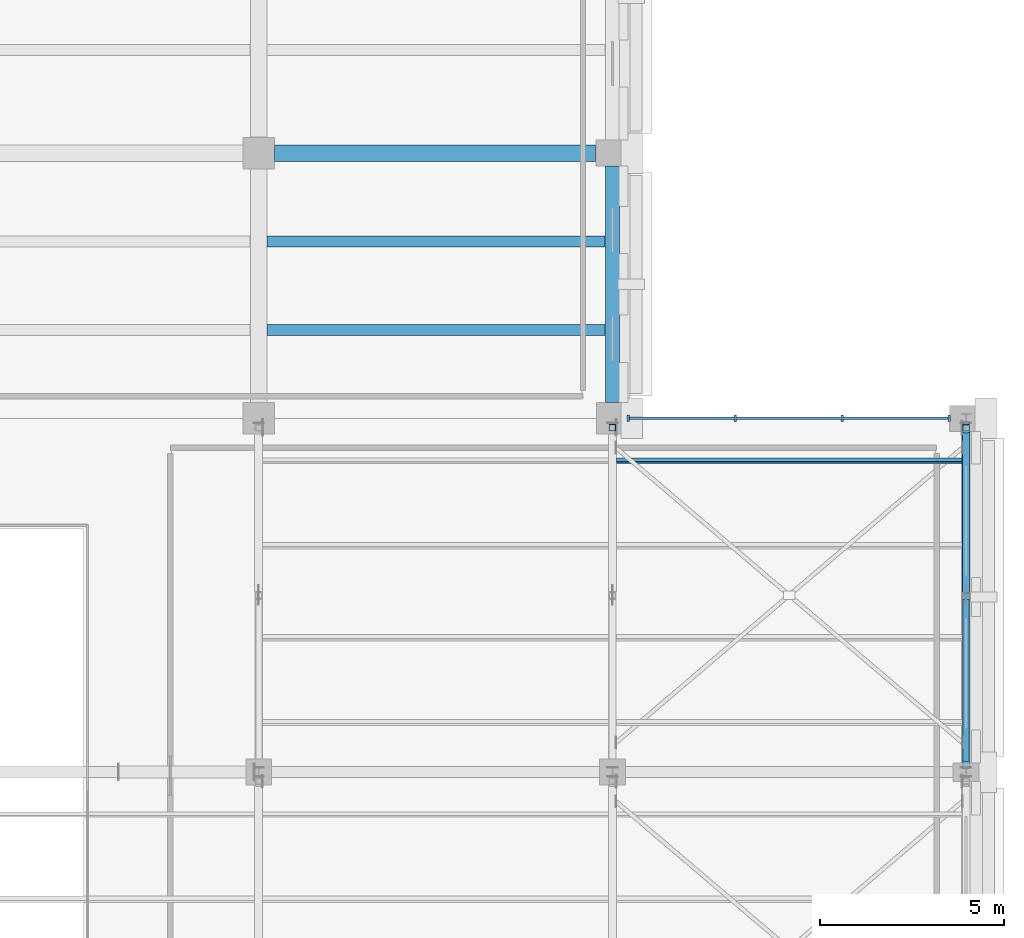
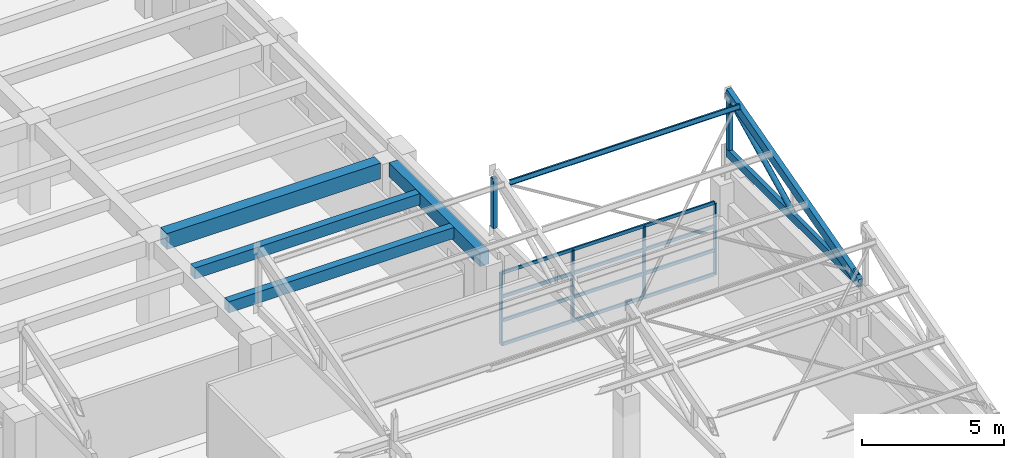
# One storey, part 25 of 58: 15 members, 4 beams, 1 element without a shape of its own.
"""IFC4 building model written with IfcOpenShell, lengths in metres."""

from ifc_helpers import new_model, si_unit, direction, frame, origin, origin_2d, place, context, subcontext, project, spatial, rectangle, hollow_rectangle, hollow_circle, i_section, extrude, material, layer, layer_set, material_profile, profile_set, type_object, element, aggregate, save


model = new_model("IFC4")

# Units and contexts
model_context = context("Model", 3, precision=1e-05, world=origin(), true_north=direction((0.0, 1.0)))
body_context = subcontext(model_context, "Body", "Model", "MODEL_VIEW")
ifc_project = project(units=[si_unit("LENGTHUNIT", "METRE"), si_unit("AREAUNIT", "SQUARE_METRE"), si_unit("VOLUMEUNIT", "CUBIC_METRE"), si_unit("PLANEANGLEUNIT", "RADIAN"), si_unit("MASSUNIT", "GRAM", prefix="KILO")], contexts=[model_context])

# Site, building, storey
site_placement = place(None, origin())
site = spatial("IfcSite", under=ifc_project, at=site_placement, CompositionType="ELEMENT")
building_placement = place(site_placement, origin())
building = spatial("IfcBuilding", under=site, at=building_placement, Name="Bempovik Park Faculty of Sciences", CompositionType="ELEMENT")
storey_placement = place(building_placement, frame((0.0, 0.0, 18.300048828125)))
storey = spatial("IfcBuildingStorey", under=building, at=storey_placement, Name="L04", CompositionType="ELEMENT", Elevation=18.300048828125)

# Beams
ifc_material_1 = material(Name="Concrete C35/45", Category="concrete")
ifc_material_profile_1 = material_profile(ifc_material_1, rectangle(XDim=0.3798828125, YDim=0.60009765625, at=origin_2d()), Name="RC 380x600")
ifc_profile_set_1 = profile_set([ifc_material_profile_1], Name="Concrete C35/45")
beam_type_1 = type_object("IfcBeamType", Name="B-032 RC 380x600", PredefinedType="SPANDREL", material=ifc_profile_set_1)
beam_1_placement = place(storey_placement, frame((117.60009765625, 87.430908203125, 3.599853515625), z_axis=(0.0, 1.0, 0.0), x_axis=(-1.0, 0.0, 0.0)))
element("IfcBeam", 1, at=beam_1_placement, inside=storey, type_object=beam_type_1, Name="L04 Beam Y (x=117.6, 87.0-94.2)", PredefinedType="SPANDREL", context=body_context, shape_type="SweptSolid", body=[
    extrude(rectangle(XDim=0.3798828125, YDim=0.60009765625, at=origin_2d()), origin(), (0.0, 0.0, 1.0), 6.4130859375),
])
ifc_material_profile_2 = material_profile(ifc_material_1, rectangle(XDim=0.300048828125, YDim=0.47998046875, at=origin_2d()), Name="RC 300x480")
ifc_profile_set_2 = profile_set([ifc_material_profile_2], Name="Concrete C35/45")
beam_type_2 = type_object("IfcBeamType", Name="B-039 RC 300x480", PredefinedType="JOIST", material=ifc_profile_set_2)
for number, where, z_axis, x_axis, name in (
    (2, (108.23095703125, 89.39990234375, 3.659912109375), (1.0, 0.0, 0.0), (0.0, 1.0, 0.0), "L04 Secondary Joist (108.0-117.6, y=89.40)"),
    (3, (108.23095703125, 91.800048828125, 3.659912109375), (1.0, 0.0, 0.0), (0.0, 1.0, 0.0), "L04 Secondary Joist (108.0-117.6, y=91.80)"),
):
    element("IfcBeam", number, at=place(storey_placement, frame(where, z_axis=z_axis, x_axis=x_axis)), inside=storey, type_object=beam_type_2, Name=name, PredefinedType="JOIST", context=body_context, shape_type="SweptSolid", body=[
        extrude(rectangle(XDim=0.300048828125, YDim=0.47998046875, at=origin_2d()), origin(), (0.0, 0.0, 1.0), 9.173095703125),
    ])
ifc_material_profile_3 = material_profile(ifc_material_1, rectangle(XDim=0.449951171875, YDim=0.679931640625, at=origin_2d()), Name="RC 450x680")
ifc_profile_set_3 = profile_set([ifc_material_profile_3], Name="Concrete C35/45")
beam_type_3 = type_object("IfcBeamType", Name="B-113 RC 450x680", PredefinedType="BEAM", material=ifc_profile_set_3)
beam_2_placement = place(storey_placement, frame((108.430908203125, 94.199951171875, 3.56005859375), z_axis=(1.0, 0.0, 0.0), x_axis=(0.0, 1.0, 0.0)))
element("IfcBeam", 4, at=beam_2_placement, inside=storey, type_object=beam_type_3, Name="L04 Beam X (108.0-117.6, y=94.2)", PredefinedType="BEAM", context=body_context, shape_type="SweptSolid", body=[
    extrude(rectangle(XDim=0.449951171875, YDim=0.679931640625, at=origin_2d()), origin(), (0.0, 0.0, 1.0), 8.713134765625),
])

# Members
ifc_material_2 = material(Name="Steel S355", Category="steel")
ifc_material_profile_4 = material_profile(ifc_material_2, hollow_rectangle(XDim=0.175048828125, YDim=0.35009765625, WallThickness=0.012451171875, at=origin_2d()), Name="RHS 350x175x12.5")
ifc_profile_set_4 = profile_set([ifc_material_profile_4], Name="Steel S355")
member_type_1 = type_object("IfcMemberType", Name="M-15 RHS 350x175x12.5", PredefinedType="CHORD", material=ifc_profile_set_4)
member_1_placement = place(storey_placement, frame((127.199951171875, 77.535888671875, 5.179931640625), z_axis=(0.0, 1.0, 0.0), x_axis=(-1.0, 0.0, 0.0)))
element("IfcMember", 5, at=member_1_placement, inside=storey, type_object=member_type_1, Name="Sawtooth Bottom Chord V2-B2 (127.2)", PredefinedType="CHORD", context=body_context, shape_type="SweptSolid", body=[
    extrude(hollow_rectangle(XDim=0.175048828125, YDim=0.35009765625, WallThickness=0.012451171875, at=origin_2d()), origin(), (0.0, 0.0, 1.0), 9.328125),
])
ifc_material_profile_5 = material_profile(ifc_material_2, hollow_circle(Radius=0.109619140625, WallThickness=0.010009765625, at=origin_2d()), Name="CHS 219.1x10")
ifc_profile_set_5 = profile_set([ifc_material_profile_5], Name="Steel S355")
member_type_2 = type_object("IfcMemberType", Name="M-22 CHS 219.1x10", PredefinedType="BRACE", material=ifc_profile_set_5)
member_2_placement = place(storey_placement, frame((127.199951171875, 82.304931640625, 5.36083984375), z_axis=(0.0, 0.896782958268, 0.442470706105), x_axis=(-1.0, 0.0, 0.0)))
element("IfcMember", 6, at=member_2_placement, inside=storey, type_object=member_type_2, Name="Sawtooth Web Diagonal 2 V2-B2 (127.2)", PredefinedType="BRACE", context=body_context, shape_type="SweptSolid", body=[
    extrude(hollow_circle(Radius=0.109619140625, WallThickness=0.010009765625, at=origin_2d()), origin(), (0.0, 0.0, 1.0), 4.844970703125),
])
ifc_material_profile_6 = material_profile(ifc_material_2, hollow_rectangle(XDim=0.179931640625, YDim=0.179931640625, WallThickness=0.008056640625, at=origin_2d()), Name="SHS 180x180x8")
ifc_profile_set_6 = profile_set([ifc_material_profile_6], Name="Steel S355")
member_type_3 = type_object("IfcMemberType", Name="M-40 SHS 180x180x8", PredefinedType="POST", material=ifc_profile_set_6)
for number, where, z_axis, x_axis, name in (
    (7, (117.60009765625, 86.75, 5.36083984375), (0.0, 0.0, 1.0), (1.0, 0.0, 0.0), "Sawtooth North-Light Post V2-B2 (117.6)"),
    (8, (127.199951171875, 86.75, 5.36083984375), (0.0, 0.0, 1.0), (1.0, 0.0, 0.0), "Sawtooth North-Light Post V2-B2 (127.2)"),
):
    element("IfcMember", number, at=place(storey_placement, frame(where, z_axis=z_axis, x_axis=x_axis)), inside=storey, type_object=member_type_3, Name=name, PredefinedType="POST", context=body_context, shape_type="SweptSolid", body=[
        extrude(hollow_rectangle(XDim=0.179931640625, YDim=0.179931640625, WallThickness=0.008056640625, at=origin_2d()), origin(), (0.0, 0.0, 1.0), 2.143798828125),
    ])
ifc_material_profile_7 = material_profile(ifc_material_2, i_section(OverallWidth=0.10009765625, OverallDepth=0.199951171875, WebThickness=0.005615234375, FlangeThickness=0.008544921875, at=origin_2d()), Name="IPE 200")
ifc_profile_set_7 = profile_set([ifc_material_profile_7], Name="Steel S355")
member_type_4 = type_object("IfcMemberType", Name="M-48 IPE 200", PredefinedType="PURLIN", material=ifc_profile_set_7)
member_3_placement = place(storey_placement, frame((117.7060546875, 85.847900390625, 7.790771484375), z_axis=(1.0, 0.0, 0.0), x_axis=(0.0, 0.965925826289, -0.258819045103)))
element("IfcMember", 9, at=member_3_placement, inside=storey, type_object=member_type_4, Name="Sawtooth Roof Purlin V2-B2 (117.6-127.2) #4", PredefinedType="PURLIN", context=body_context, shape_type="SweptSolid", body=[
    extrude(i_section(OverallWidth=0.10009765625, OverallDepth=0.199951171875, WebThickness=0.005615234375, FlangeThickness=0.008544921875, at=origin_2d()), origin(), (0.0, 0.0, 1.0), 9.387939453125),
])
ifc_material_profile_8 = material_profile(ifc_material_2, hollow_rectangle(XDim=0.199951171875, YDim=0.39990234375, WallThickness=0.01611328125, at=origin_2d()), Name="RHS 400x200x16")
ifc_profile_set_8 = profile_set([ifc_material_profile_8], Name="Steel S355")
member_type_5 = type_object("IfcMemberType", Name="M-53 RHS 400x200x16", PredefinedType="CHORD", material=ifc_profile_set_8)
member_4_placement = place(storey_placement, frame((127.199951171875, 77.535888671875, 5.182373046875), z_axis=(0.0, 0.964019377514, 0.265831976588), x_axis=(-1.0, 0.0, 0.0)))
element("IfcMember", 10, at=member_4_placement, inside=storey, type_object=member_type_5, Name="Sawtooth Top Rafter Chord V2-B2 (127.2)", PredefinedType="CHORD", context=body_context, shape_type="SweptSolid", body=[
    extrude(hollow_rectangle(XDim=0.199951171875, YDim=0.39990234375, WallThickness=0.01611328125, at=origin_2d()), origin(), (0.0, 0.0, 1.0), 9.67626953125),
])
ifc_material_profile_9 = material_profile(ifc_material_2, hollow_circle(Radius=0.096923828125, WallThickness=0.008056640625, at=origin_2d()), Name="CHS 193.7x8")
ifc_profile_set_9 = profile_set([ifc_material_profile_9], Name="Steel S355")
member_type_6 = type_object("IfcMemberType", Name="M-74 CHS 193.7x8", PredefinedType="BRACE", material=ifc_profile_set_9)
member_5_placement = place(storey_placement, frame((127.199951171875, 77.7099609375, 5.36083984375), z_axis=(0.0, 0.980118341504, 0.198413801554), x_axis=(-1.0, 0.0, 0.0)))
element("IfcMember", 11, at=member_5_placement, inside=storey, type_object=member_type_6, Name="Sawtooth Web Diagonal 1 V2-B2 (127.2)", PredefinedType="BRACE", context=body_context, shape_type="SweptSolid", body=[
    extrude(hollow_circle(Radius=0.096923828125, WallThickness=0.008056640625, at=origin_2d()), origin(), (0.0, 0.0, 1.0), 4.473876953125),
])

# Curtain wall, members
ifc_material_3 = material(Name="Tempered laminated low-E glass", Category="glass")
ifc_layer = layer(ifc_material_3, 0.159912109375)
ifc_layer_set = layer_set([ifc_layer], Name="Tempered laminated low-E glass")
curtain_wall_type = type_object("IfcCurtainWallType", Name="CW-41 Curtain 6600x3800", PredefinedType="USERDEFINED", material=ifc_layer_set)
curtain_wall_placement = place(storey_placement, origin())
curtain_wall = element("IfcCurtainWall", 12, at=curtain_wall_placement, inside=storey, type_object=curtain_wall_type, Name="L04 Unitised Curtain Wall (87.0,117.6)", ObjectType="UNITISED CURTAIN WALL", PredefinedType="USERDEFINED")
ifc_material_4 = material(Name="Anodised architectural bronze", Category="aluminium")
ifc_material_profile_10 = material_profile(ifc_material_4, rectangle(XDim=0.06494140625, YDim=0.169921875, at=origin_2d()), Name="ALU-M 65x170")
ifc_profile_set_10 = profile_set([ifc_material_profile_10], Name="Anodised architectural bronze")
member_type_7 = type_object("IfcMemberType", Name="ML-15 ALU-M 65x170", PredefinedType="MULLION", material=ifc_profile_set_10)
member_6_placement = place(storey_placement, frame((118.027099609375, 87.0, 0.0), z_axis=(0.0, 0.0, 1.0), x_axis=(1.0, 0.0, 0.0)))
member_6 = element("IfcMember", 13, at=member_6_placement, type_object=member_type_7, Name="CW-BAY-L04-870-1176 Mullion 0", PredefinedType="MULLION", context=body_context, shape_type="SweptSolid", body=[
    extrude(rectangle(XDim=0.06494140625, YDim=0.169921875, at=origin_2d()), origin(), (0.0, 0.0, 1.0), 3.079833984375),
])
member_7_placement = place(storey_placement, frame((120.93408203125, 87.0, 0.0), z_axis=(0.0, 0.0, 1.0), x_axis=(1.0, 0.0, 0.0)))
member_7 = element("IfcMember", 14, at=member_7_placement, type_object=member_type_7, Name="CW-BAY-L04-870-1176 Mullion 1", PredefinedType="MULLION", context=body_context, shape_type="SweptSolid", body=[
    extrude(rectangle(XDim=0.06494140625, YDim=0.169921875, at=origin_2d()), origin(), (0.0, 0.0, 1.0), 3.079833984375),
])
member_8_placement = place(storey_placement, frame((123.841064453125, 87.0, 0.0), z_axis=(0.0, 0.0, 1.0), x_axis=(1.0, 0.0, 0.0)))
member_8 = element("IfcMember", 15, at=member_8_placement, type_object=member_type_7, Name="CW-BAY-L04-870-1176 Mullion 2", PredefinedType="MULLION", context=body_context, shape_type="SweptSolid", body=[
    extrude(rectangle(XDim=0.06494140625, YDim=0.169921875, at=origin_2d()), origin(), (0.0, 0.0, 1.0), 3.079833984375),
])
member_9_placement = place(storey_placement, frame((126.748046875, 87.0, 0.0), z_axis=(0.0, 0.0, 1.0), x_axis=(1.0, 0.0, 0.0)))
member_9 = element("IfcMember", 16, at=member_9_placement, type_object=member_type_7, Name="CW-BAY-L04-870-1176 Mullion 3", PredefinedType="MULLION", context=body_context, shape_type="SweptSolid", body=[
    extrude(rectangle(XDim=0.06494140625, YDim=0.169921875, at=origin_2d()), origin(), (0.0, 0.0, 1.0), 3.079833984375),
])
ifc_material_profile_11 = material_profile(ifc_material_4, rectangle(XDim=0.06494140625, YDim=0.139892578125, at=origin_2d()), Name="ALU-T 65x140")
ifc_profile_set_11 = profile_set([ifc_material_profile_11], Name="Anodised architectural bronze")
member_type_8 = type_object("IfcMemberType", Name="TR-17 ALU-T 65x140", PredefinedType="USERDEFINED", material=ifc_profile_set_11)
member_10_placement = place(storey_placement, frame((118.06689453125, 87.0, 0.0), z_axis=(1.0, 0.0, 0.0), x_axis=(0.0, 1.0, 0.0)))
member_10 = element("IfcMember", 17, at=member_10_placement, type_object=member_type_8, Name="CW-BAY-L04-870-1176 Transom 0", ObjectType="TRANSOM", PredefinedType="USERDEFINED", context=body_context, shape_type="SweptSolid", body=[
    extrude(rectangle(XDim=0.06494140625, YDim=0.139892578125, at=origin_2d()), origin(), (0.0, 0.0, 1.0), 8.64111328125),
])
member_11_placement = place(storey_placement, frame((118.06689453125, 87.0, 1.026611328125), z_axis=(1.0, 0.0, 0.0), x_axis=(0.0, 1.0, 0.0)))
member_11 = element("IfcMember", 18, at=member_11_placement, type_object=member_type_8, Name="CW-BAY-L04-870-1176 Transom 1", ObjectType="TRANSOM", PredefinedType="USERDEFINED", context=body_context, shape_type="SweptSolid", body=[
    extrude(rectangle(XDim=0.06494140625, YDim=0.139892578125, at=origin_2d()), origin(), (0.0, 0.0, 1.0), 8.64111328125),
])
member_12_placement = place(storey_placement, frame((118.06689453125, 87.0, 2.05322265625), z_axis=(1.0, 0.0, 0.0), x_axis=(0.0, 1.0, 0.0)))
member_12 = element("IfcMember", 19, at=member_12_placement, type_object=member_type_8, Name="CW-BAY-L04-870-1176 Transom 2", ObjectType="TRANSOM", PredefinedType="USERDEFINED", context=body_context, shape_type="SweptSolid", body=[
    extrude(rectangle(XDim=0.06494140625, YDim=0.139892578125, at=origin_2d()), origin(), (0.0, 0.0, 1.0), 8.64111328125),
])
member_13_placement = place(storey_placement, frame((118.06689453125, 87.0, 3.079833984375), z_axis=(1.0, 0.0, 0.0), x_axis=(0.0, 1.0, 0.0)))
member_13 = element("IfcMember", 20, at=member_13_placement, type_object=member_type_8, Name="CW-BAY-L04-870-1176 Transom 3", ObjectType="TRANSOM", PredefinedType="USERDEFINED", context=body_context, shape_type="SweptSolid", body=[
    extrude(rectangle(XDim=0.06494140625, YDim=0.139892578125, at=origin_2d()), origin(), (0.0, 0.0, 1.0), 8.64111328125),
])
aggregate(curtain_wall, [member_6, member_7, member_8, member_9, member_10, member_11, member_12, member_13])

save(model, "model.ifc")
